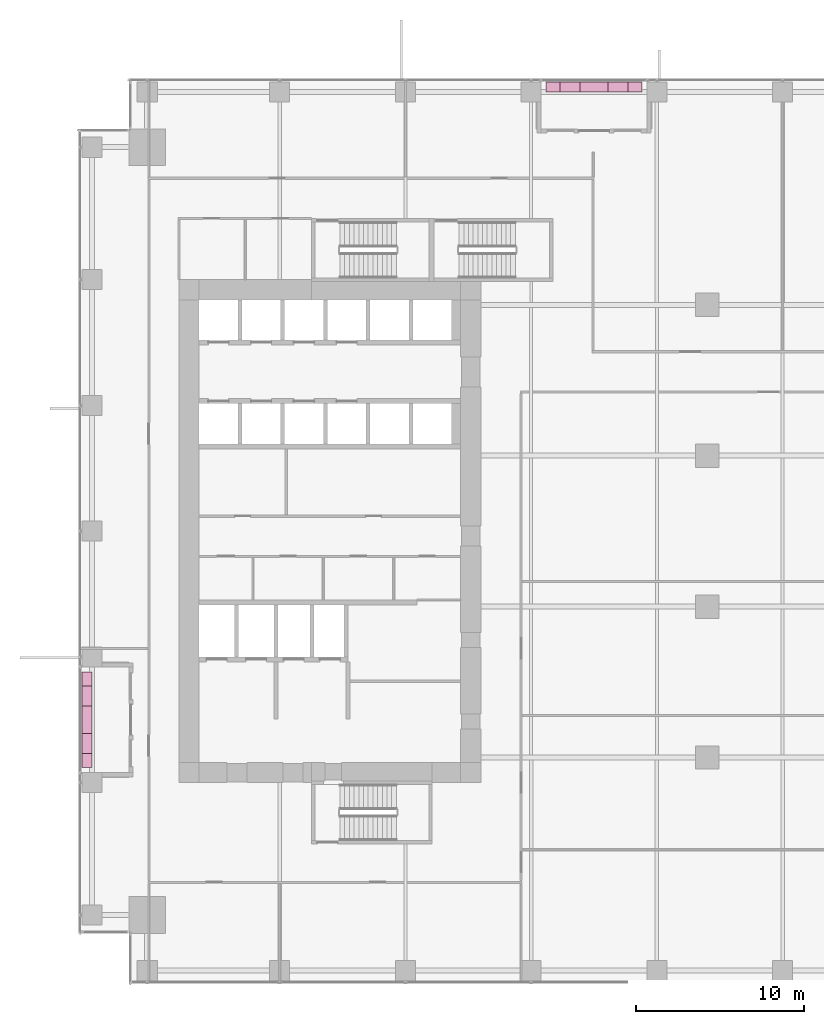
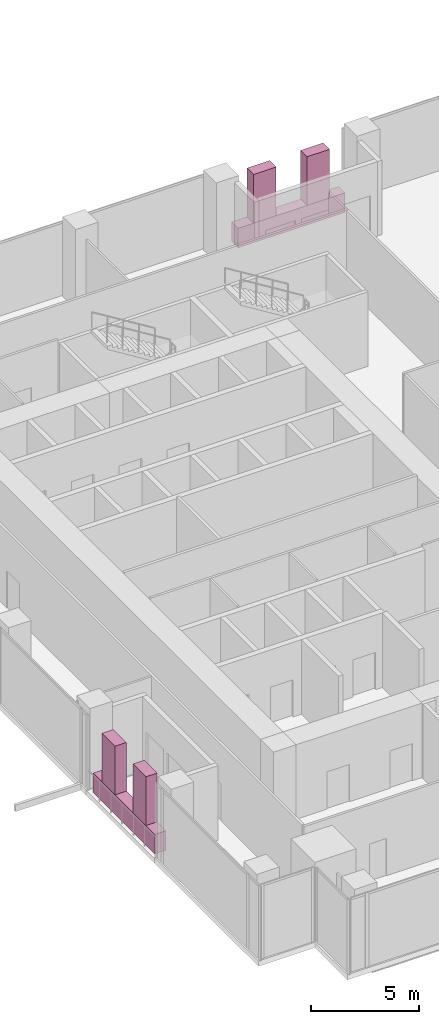
# One storey, part 33 of 33: 6 furnishings.
"""IFC4 building model written with IfcOpenShell, lengths in metres."""

from ifc_helpers import new_model, si_unit, direction, frame, origin, origin_2d, place, context, subcontext, project, spatial, rectangle, extrude, source, transform, mapped, material, type_object, element, save


model = new_model("IFC4")

# Units and contexts
model_context = context("Model", 3, precision=1e-05, world=origin(), true_north=direction((0.0, 1.0)))
body_context = subcontext(model_context, "Body", "Model", "MODEL_VIEW")
ifc_project = project(units=[si_unit("LENGTHUNIT", "METRE"), si_unit("AREAUNIT", "SQUARE_METRE"), si_unit("VOLUMEUNIT", "CUBIC_METRE"), si_unit("PLANEANGLEUNIT", "RADIAN"), si_unit("MASSUNIT", "GRAM", prefix="KILO")], contexts=[model_context])

# Site, building, storey
site_placement = place(None, origin())
site = spatial("IfcSite", under=ifc_project, at=site_placement, CompositionType="ELEMENT")
building_placement = place(site_placement, origin())
building = spatial("IfcBuilding", under=site, at=building_placement, Name="Khomas Fold Tower", CompositionType="ELEMENT")
storey_placement = place(building_placement, frame((0.0, 0.0, 91.5)))
storey = spatial("IfcBuildingStorey", under=building, at=storey_placement, Name="L19", CompositionType="ELEMENT", Elevation=91.5)

# Furnishings
ifc_material_1 = material(Name="Precast concrete C40/50", Category="concrete")
furnishing_element_type_1 = type_object("IfcFurnishingElementType", Name="BL-Structural planter box", material=ifc_material_1)
shared_shape_1 = source(origin(), body_context, "Body", "SweptSolid", [
    extrude(rectangle(XDim=5.699951171875, YDim=0.60009765625, at=origin_2d()), origin(), (0.0, 0.0, 1.0), 1.10009765625),
])
for number, where, z_axis, x_axis, name in (
    (1, (0.5, 15.75, -0.045166015625), (0.0, 0.0, 1.0), (0.0, 1.0, 0.0), "PLANTER BAL-L19-W1"),
    (2, (30.75, 53.5, -0.045166015625), (0.0, 0.0, 1.0), (1.0, 0.0, 0.0), "PLANTER BAL-L19-N3"),
):
    element("IfcFurnishingElement", number, at=place(storey_placement, frame(where, z_axis=z_axis, x_axis=x_axis)), inside=storey, type_object=furnishing_element_type_1, Name=name, context=body_context, shape_type="MappedRepresentation", body=[
        mapped(shared_shape_1, transform((0.0, 0.0, 0.0))),
    ])
ifc_material_2 = material(Name="Planting")
furnishing_element_type_2 = type_object("IfcFurnishingElementType", Name="BL-Tree Shepherd's tree", material=ifc_material_2)
shared_shape_2 = source(origin(), body_context, "Body", "SweptSolid", [
    extrude(rectangle(XDim=1.199951171875, YDim=0.60009765625, at=origin_2d()), origin(), (0.0, 0.0, 1.0), 2.7451171875),
])
furnishing_1_placement = place(storey_placement, frame((0.5, 14.324951171875, 1.054931640625), z_axis=(0.0, 0.0, 1.0), x_axis=(0.0, 1.0, 0.0)))
element("IfcFurnishingElement", 3, at=furnishing_1_placement, inside=storey, type_object=furnishing_element_type_2, Name="PLANTER (TREE) Shepherd's tree BAL-L19-W1-1", context=body_context, shape_type="MappedRepresentation", body=[
    mapped(shared_shape_2, transform((0.0, 0.0, 0.0))),
])
ifc_material_3 = material(Name="Planting")
furnishing_element_type_3 = type_object("IfcFurnishingElementType", Name="BL-Tree Karee", material=ifc_material_3)
for number, where, z_axis, x_axis, name in (
    (4, (0.5, 17.175048828125, 1.054931640625), (0.0, 0.0, 1.0), (0.0, 1.0, 0.0), "PLANTER (TREE) Karee BAL-L19-W1-2"),
    (5, (29.324951171875, 53.5, 1.054931640625), (0.0, 0.0, 1.0), (1.0, 0.0, 0.0), "PLANTER (TREE) Karee BAL-L19-N3-1"),
):
    element("IfcFurnishingElement", number, at=place(storey_placement, frame(where, z_axis=z_axis, x_axis=x_axis)), inside=storey, type_object=furnishing_element_type_3, Name=name, context=body_context, shape_type="MappedRepresentation", body=[
        mapped(shared_shape_2, transform((0.0, 0.0, 0.0))),
    ])
ifc_material_4 = material(Name="Planting")
furnishing_element_type_4 = type_object("IfcFurnishingElementType", Name="BL-Tree Wild olive", material=ifc_material_4)
furnishing_2_placement = place(storey_placement, frame((32.175048828125, 53.5, 1.054931640625), z_axis=(0.0, 0.0, 1.0), x_axis=(1.0, 0.0, 0.0)))
element("IfcFurnishingElement", 6, at=furnishing_2_placement, inside=storey, type_object=furnishing_element_type_4, Name="PLANTER (TREE) Wild olive BAL-L19-N3-2", context=body_context, shape_type="MappedRepresentation", body=[
    mapped(shared_shape_2, transform((0.0, 0.0, 0.0))),
])

save(model, "model.ifc")
